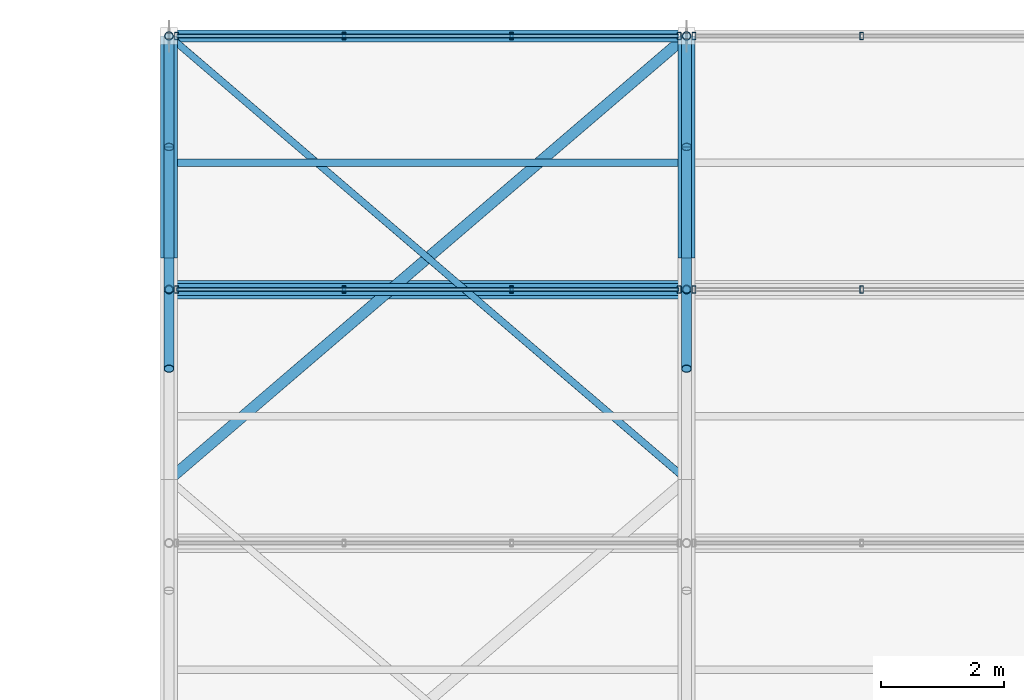
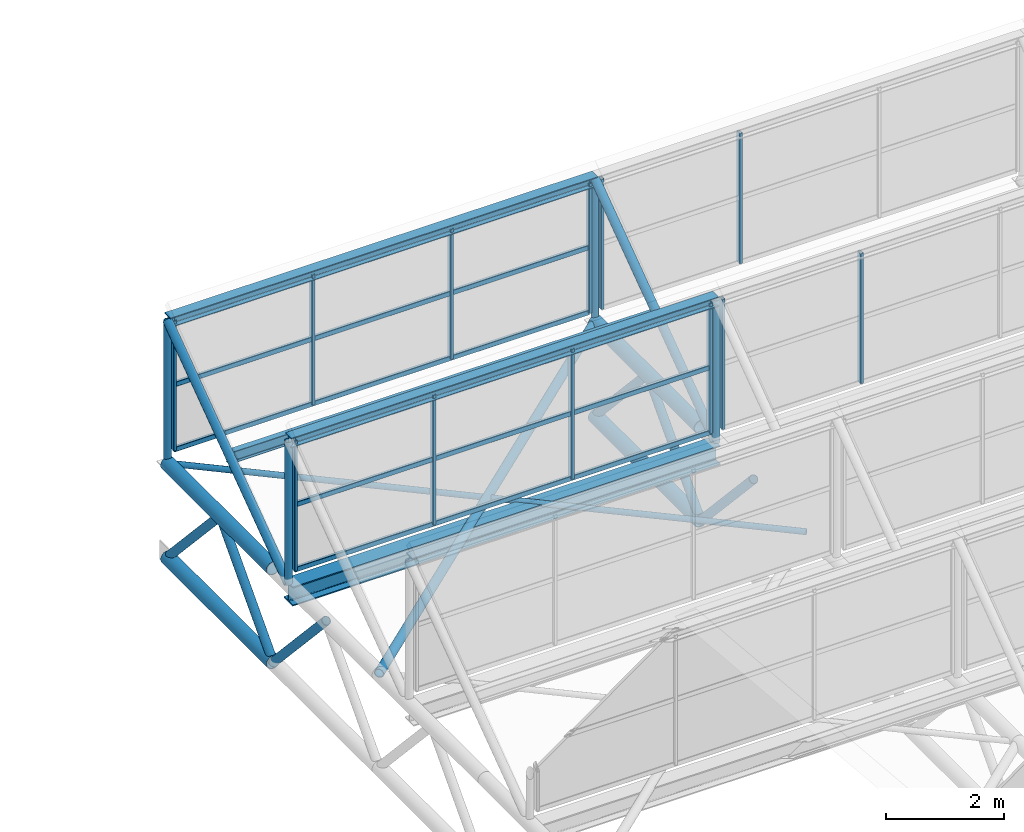
# One storey, part 66 of 134: 36 members, 4 beams, 4 elements without a shape of their own.
"""IFC4 building model written with IfcOpenShell, lengths in metres."""

from ifc_helpers import new_model, si_unit, derived_unit, direction, frame, origin, origin_2d, place, context, subcontext, project, spatial, hollow_rectangle, hollow_circle, i_section, extrude, material, material_profile, profile_set, type_object, element, aggregate, save


model = new_model("IFC4")

# Units and contexts
model_context = context("Model", 3, precision=1e-05, world=origin(), true_north=direction((0.0, 1.0)))
body_context = subcontext(model_context, "Body", "Model", "MODEL_VIEW")
ifc_project = project(units=[si_unit("LENGTHUNIT", "METRE"), si_unit("AREAUNIT", "SQUARE_METRE"), si_unit("VOLUMEUNIT", "CUBIC_METRE"), si_unit("PLANEANGLEUNIT", "RADIAN"), si_unit("MASSUNIT", "GRAM", prefix="KILO"), derived_unit("THERMALTRANSMITTANCEUNIT", [(si_unit("MASSUNIT", "GRAM", prefix="KILO"), 1), (si_unit("TIMEUNIT", "SECOND"), -3), (si_unit("THERMODYNAMICTEMPERATUREUNIT", "KELVIN"), -1)])], contexts=[model_context])

# Site, building, storey
site_placement = place(None, origin())
site = spatial("IfcSite", under=ifc_project, at=site_placement, CompositionType="ELEMENT")
building_placement = place(site_placement, origin())
building = spatial("IfcBuilding", under=site, at=building_placement, Name="Kharveza Railside Sports Centre", CompositionType="ELEMENT")
storey_placement = place(building_placement, frame((0.0, 0.0, 12.89990234375)))
storey = spatial("IfcBuildingStorey", under=building, at=storey_placement, Name="L03", CompositionType="ELEMENT", Elevation=12.89990234375)

# Beams
ifc_material_1 = material(Name="Steel S355J2", Category="steel")
ifc_material_profile_1 = material_profile(ifc_material_1, i_section(OverallWidth=0.300048828125, OverallDepth=0.39990234375, WebThickness=0.013427734375, FlangeThickness=0.02392578125, FilletRadius=0.027099609375, at=origin_2d()), Name="HEB 400")
ifc_profile_set_1 = profile_set([ifc_material_profile_1], Name="Steel S355J2")
beam_type_1 = type_object("IfcBeamType", Name="BM-G07", PredefinedType="T_BEAM", material=ifc_profile_set_1)
beam_1_placement = place(storey_placement, frame((92.39990234375, 103.8857421875, 1.760009765625), z_axis=(1.0, 0.0, 0.0), x_axis=(0.0, 1.0, 0.0)))
element("IfcBeam", 1, at=beam_1_placement, inside=storey, type_object=beam_type_1, Name="BM-V2SAW-VAL-7-1", PredefinedType="T_BEAM", context=body_context, shape_type="SweptSolid", body=[
    extrude(i_section(OverallWidth=0.300048828125, OverallDepth=0.39990234375, WebThickness=0.013427734375, FlangeThickness=0.02392578125, FilletRadius=0.027099609375, at=origin_2d()), origin(), (0.0, 0.0, 1.0), 8.400146484375),
])
ifc_material_2 = material(Name="Steel S275JR", Category="steel")
ifc_material_profile_2 = material_profile(ifc_material_2, i_section(OverallWidth=0.1201171875, OverallDepth=0.239990234375, WebThickness=0.006103515625, FlangeThickness=0.009765625, FilletRadius=0.014892578125, at=origin_2d()), Name="IPE 240")
ifc_profile_set_2 = profile_set([ifc_material_profile_2], Name="Steel S275JR")
beam_type_2 = type_object("IfcBeamType", Name="BM-J01", PredefinedType="JOIST", material=ifc_profile_set_2)
beam_2_placement = place(storey_placement, frame((92.39990234375, 105.94287109375, 3.320068359375), z_axis=(1.0, 0.0, 0.0), x_axis=(0.0, 1.0, 0.0)))
element("IfcBeam", 2, at=beam_2_placement, inside=storey, type_object=beam_type_2, Name="BM-V2SAW-PUR-7-1", PredefinedType="JOIST", context=body_context, shape_type="SweptSolid", body=[
    extrude(i_section(OverallWidth=0.1201171875, OverallDepth=0.239990234375, WebThickness=0.006103515625, FlangeThickness=0.009765625, FilletRadius=0.014892578125, at=origin_2d()), origin(), (0.0, 0.0, 1.0), 8.400146484375),
])
ifc_material_profile_3 = material_profile(ifc_material_2, i_section(OverallWidth=0.199951171875, OverallDepth=0.199951171875, WebThickness=0.009033203125, FlangeThickness=0.014892578125, FilletRadius=0.01806640625, at=origin_2d()), Name="HEB 200")
ifc_profile_set_3 = profile_set([ifc_material_profile_3], Name="Steel S275JR")
beam_type_3 = type_object("IfcBeamType", Name="BM-J05", PredefinedType="JOIST", material=ifc_profile_set_3)
for number, where, z_axis, x_axis, name in (
    (3, (92.39990234375, 103.8857421875, 4.920166015625), (1.0, 0.0, 0.0), (0.0, 1.0, 0.0), "BM-V2SAW-RDG-6-1"),
    (4, (92.39990234375, 108.0, 4.920166015625), (1.0, 0.0, 0.0), (0.0, 1.0, 0.0), "BM-V2SAW-RDG-7-1"),
):
    element("IfcBeam", number, at=place(storey_placement, frame(where, z_axis=z_axis, x_axis=x_axis)), inside=storey, type_object=beam_type_3, Name=name, PredefinedType="JOIST", context=body_context, shape_type="SweptSolid", body=[
        extrude(i_section(OverallWidth=0.199951171875, OverallDepth=0.199951171875, WebThickness=0.009033203125, FlangeThickness=0.014892578125, FilletRadius=0.01806640625, at=origin_2d()), origin(), (0.0, 0.0, 1.0), 8.400146484375),
    ])

# Curtain wall, members
ifc_material_3 = material(Name="Low-E solar-control laminated glass", Category="glass")
curtain_wall_type = type_object("IfcCurtainWallType", Name="CW-NL02", PredefinedType="NOTDEFINED", material=ifc_material_3)
curtain_wall_1_placement = place(storey_placement, origin())
curtain_wall_1 = element("IfcCurtainWall", 5, at=curtain_wall_1_placement, inside=storey, type_object=curtain_wall_type, Name="CW-V2NL-6-1", PredefinedType="NOTDEFINED")
ifc_material_4 = material(Name="Anodised aluminium 6063-T6", Category="aluminium")
ifc_material_profile_4 = material_profile(ifc_material_4, hollow_rectangle(XDim=0.06005859375, YDim=0.1201171875, WallThickness=0.0048828125, InnerFilletRadius=0.0048828125, OuterFilletRadius=0.010009765625, at=origin_2d()), Name="RHS 60x120x5.0")
ifc_profile_set_4 = profile_set([ifc_material_profile_4], Name="Anodised aluminium 6063-T6")
member_type_1 = type_object("IfcMemberType", Name="CW-ML05", PredefinedType="MULLION", material=ifc_profile_set_4)
member_1_placement = place(storey_placement, frame((92.52001953125, 103.8857421875, 2.2001953125), z_axis=(0.0, 0.0, 1.0), x_axis=(1.0, 0.0, 0.0)))
member_1 = element("IfcMember", 6, at=member_1_placement, type_object=member_type_1, Name="CW-V2NL-6-1-ML1", PredefinedType="MULLION", context=body_context, shape_type="SweptSolid", body=[
    extrude(hollow_rectangle(XDim=0.06005859375, YDim=0.1201171875, WallThickness=0.0048828125, InnerFilletRadius=0.0048828125, OuterFilletRadius=0.010009765625, at=origin_2d()), origin(), (0.0, 0.0, 1.0), 2.699951171875),
])
member_2_placement = place(storey_placement, frame((95.239990234375, 103.8857421875, 2.2001953125), z_axis=(0.0, 0.0, 1.0), x_axis=(1.0, 0.0, 0.0)))
member_2 = element("IfcMember", 7, at=member_2_placement, type_object=member_type_1, Name="CW-V2NL-6-1-ML2", PredefinedType="MULLION", context=body_context, shape_type="SweptSolid", body=[
    extrude(hollow_rectangle(XDim=0.06005859375, YDim=0.1201171875, WallThickness=0.0048828125, InnerFilletRadius=0.0048828125, OuterFilletRadius=0.010009765625, at=origin_2d()), origin(), (0.0, 0.0, 1.0), 2.699951171875),
])
member_3_placement = place(storey_placement, frame((97.9599609375, 103.8857421875, 2.2001953125), z_axis=(0.0, 0.0, 1.0), x_axis=(1.0, 0.0, 0.0)))
member_3 = element("IfcMember", 8, at=member_3_placement, type_object=member_type_1, Name="CW-V2NL-6-1-ML3", PredefinedType="MULLION", context=body_context, shape_type="SweptSolid", body=[
    extrude(hollow_rectangle(XDim=0.06005859375, YDim=0.1201171875, WallThickness=0.0048828125, InnerFilletRadius=0.0048828125, OuterFilletRadius=0.010009765625, at=origin_2d()), origin(), (0.0, 0.0, 1.0), 2.699951171875),
])
member_4_placement = place(storey_placement, frame((100.679931640625, 103.8857421875, 2.2001953125), z_axis=(0.0, 0.0, 1.0), x_axis=(1.0, 0.0, 0.0)))
member_4 = element("IfcMember", 9, at=member_4_placement, type_object=member_type_1, Name="CW-V2NL-6-1-ML4", PredefinedType="MULLION", context=body_context, shape_type="SweptSolid", body=[
    extrude(hollow_rectangle(XDim=0.06005859375, YDim=0.1201171875, WallThickness=0.0048828125, InnerFilletRadius=0.0048828125, OuterFilletRadius=0.010009765625, at=origin_2d()), origin(), (0.0, 0.0, 1.0), 2.699951171875),
])

curtain_wall_2_placement = place(storey_placement, origin())
curtain_wall_2 = element("IfcCurtainWall", 10, at=curtain_wall_2_placement, inside=storey, type_object=curtain_wall_type, Name="CW-V2NL-6-2", PredefinedType="NOTDEFINED")
member_5_placement = place(storey_placement, frame((100.919921875, 103.8857421875, 2.2001953125), z_axis=(0.0, 0.0, 1.0), x_axis=(1.0, 0.0, 0.0)))
member_5 = element("IfcMember", 11, at=member_5_placement, type_object=member_type_1, Name="CW-V2NL-6-2-ML1", PredefinedType="MULLION", context=body_context, shape_type="SweptSolid", body=[
    extrude(hollow_rectangle(XDim=0.06005859375, YDim=0.1201171875, WallThickness=0.0048828125, InnerFilletRadius=0.0048828125, OuterFilletRadius=0.010009765625, at=origin_2d()), origin(), (0.0, 0.0, 1.0), 2.699951171875),
])
member_6_placement = place(storey_placement, frame((103.639892578125, 103.8857421875, 2.2001953125), z_axis=(0.0, 0.0, 1.0), x_axis=(1.0, 0.0, 0.0)))
member_6 = element("IfcMember", 12, at=member_6_placement, type_object=member_type_1, Name="CW-V2NL-6-2-ML2", PredefinedType="MULLION", context=body_context, shape_type="SweptSolid", body=[
    extrude(hollow_rectangle(XDim=0.06005859375, YDim=0.1201171875, WallThickness=0.0048828125, InnerFilletRadius=0.0048828125, OuterFilletRadius=0.010009765625, at=origin_2d()), origin(), (0.0, 0.0, 1.0), 2.699951171875),
])
aggregate(curtain_wall_2, [member_5, member_6])

curtain_wall_3_placement = place(storey_placement, origin())
curtain_wall_3 = element("IfcCurtainWall", 13, at=curtain_wall_3_placement, inside=storey, type_object=curtain_wall_type, Name="CW-V2NL-7-1", PredefinedType="NOTDEFINED")
member_7_placement = place(storey_placement, frame((92.52001953125, 108.0, 2.2001953125), z_axis=(0.0, 0.0, 1.0), x_axis=(1.0, 0.0, 0.0)))
member_7 = element("IfcMember", 14, at=member_7_placement, type_object=member_type_1, Name="CW-V2NL-7-1-ML1", PredefinedType="MULLION", context=body_context, shape_type="SweptSolid", body=[
    extrude(hollow_rectangle(XDim=0.06005859375, YDim=0.1201171875, WallThickness=0.0048828125, InnerFilletRadius=0.0048828125, OuterFilletRadius=0.010009765625, at=origin_2d()), origin(), (0.0, 0.0, 1.0), 2.699951171875),
])
member_8_placement = place(storey_placement, frame((95.239990234375, 108.0, 2.2001953125), z_axis=(0.0, 0.0, 1.0), x_axis=(1.0, 0.0, 0.0)))
member_8 = element("IfcMember", 15, at=member_8_placement, type_object=member_type_1, Name="CW-V2NL-7-1-ML2", PredefinedType="MULLION", context=body_context, shape_type="SweptSolid", body=[
    extrude(hollow_rectangle(XDim=0.06005859375, YDim=0.1201171875, WallThickness=0.0048828125, InnerFilletRadius=0.0048828125, OuterFilletRadius=0.010009765625, at=origin_2d()), origin(), (0.0, 0.0, 1.0), 2.699951171875),
])
member_9_placement = place(storey_placement, frame((97.9599609375, 108.0, 2.2001953125), z_axis=(0.0, 0.0, 1.0), x_axis=(1.0, 0.0, 0.0)))
member_9 = element("IfcMember", 16, at=member_9_placement, type_object=member_type_1, Name="CW-V2NL-7-1-ML3", PredefinedType="MULLION", context=body_context, shape_type="SweptSolid", body=[
    extrude(hollow_rectangle(XDim=0.06005859375, YDim=0.1201171875, WallThickness=0.0048828125, InnerFilletRadius=0.0048828125, OuterFilletRadius=0.010009765625, at=origin_2d()), origin(), (0.0, 0.0, 1.0), 2.699951171875),
])
member_10_placement = place(storey_placement, frame((100.679931640625, 108.0, 2.2001953125), z_axis=(0.0, 0.0, 1.0), x_axis=(1.0, 0.0, 0.0)))
member_10 = element("IfcMember", 17, at=member_10_placement, type_object=member_type_1, Name="CW-V2NL-7-1-ML4", PredefinedType="MULLION", context=body_context, shape_type="SweptSolid", body=[
    extrude(hollow_rectangle(XDim=0.06005859375, YDim=0.1201171875, WallThickness=0.0048828125, InnerFilletRadius=0.0048828125, OuterFilletRadius=0.010009765625, at=origin_2d()), origin(), (0.0, 0.0, 1.0), 2.699951171875),
])

curtain_wall_4_placement = place(storey_placement, origin())
curtain_wall_4 = element("IfcCurtainWall", 18, at=curtain_wall_4_placement, inside=storey, type_object=curtain_wall_type, Name="CW-V2NL-7-2", PredefinedType="NOTDEFINED")
member_11_placement = place(storey_placement, frame((100.919921875, 108.0, 2.2001953125), z_axis=(0.0, 0.0, 1.0), x_axis=(1.0, 0.0, 0.0)))
member_11 = element("IfcMember", 19, at=member_11_placement, type_object=member_type_1, Name="CW-V2NL-7-2-ML1", PredefinedType="MULLION", context=body_context, shape_type="SweptSolid", body=[
    extrude(hollow_rectangle(XDim=0.06005859375, YDim=0.1201171875, WallThickness=0.0048828125, InnerFilletRadius=0.0048828125, OuterFilletRadius=0.010009765625, at=origin_2d()), origin(), (0.0, 0.0, 1.0), 2.699951171875),
])
member_12_placement = place(storey_placement, frame((103.639892578125, 108.0, 2.2001953125), z_axis=(0.0, 0.0, 1.0), x_axis=(1.0, 0.0, 0.0)))
member_12 = element("IfcMember", 20, at=member_12_placement, type_object=member_type_1, Name="CW-V2NL-7-2-ML2", PredefinedType="MULLION", context=body_context, shape_type="SweptSolid", body=[
    extrude(hollow_rectangle(XDim=0.06005859375, YDim=0.1201171875, WallThickness=0.0048828125, InnerFilletRadius=0.0048828125, OuterFilletRadius=0.010009765625, at=origin_2d()), origin(), (0.0, 0.0, 1.0), 2.699951171875),
])
aggregate(curtain_wall_4, [member_11, member_12])

# Member
ifc_material_profile_5 = material_profile(ifc_material_4, hollow_rectangle(XDim=0.06005859375, YDim=0.10009765625, WallThickness=0.00390625, InnerFilletRadius=0.00390625, OuterFilletRadius=0.008056640625, at=origin_2d()), Name="RHS 60x100x4.0")
ifc_profile_set_5 = profile_set([ifc_material_profile_5], Name="Anodised aluminium 6063-T6")
member_type_2 = type_object("IfcMemberType", Name="CW-TR05", PredefinedType="USERDEFINED", material=ifc_profile_set_5)
member_13_placement = place(storey_placement, frame((92.52001953125, 103.8857421875, 2.2001953125), z_axis=(1.0, 0.0, 0.0), x_axis=(0.0, 1.0, 0.0)))
member_13 = element("IfcMember", 21, at=member_13_placement, type_object=member_type_2, Name="CW-V2NL-6-1-TR1", ObjectType="TRANSOM", PredefinedType="USERDEFINED", context=body_context, shape_type="SweptSolid", body=[
    extrude(hollow_rectangle(XDim=0.06005859375, YDim=0.10009765625, WallThickness=0.00390625, InnerFilletRadius=0.00390625, OuterFilletRadius=0.008056640625, at=origin_2d()), origin(), (0.0, 0.0, 1.0), 8.159912109375),
])

member_14_placement = place(storey_placement, frame((92.52001953125, 103.8857421875, 3.550048828125), z_axis=(1.0, 0.0, 0.0), x_axis=(0.0, 1.0, 0.0)))
member_14 = element("IfcMember", 22, at=member_14_placement, type_object=member_type_2, Name="CW-V2NL-6-1-TR2", ObjectType="TRANSOM", PredefinedType="USERDEFINED", context=body_context, shape_type="SweptSolid", body=[
    extrude(hollow_rectangle(XDim=0.06005859375, YDim=0.10009765625, WallThickness=0.00390625, InnerFilletRadius=0.00390625, OuterFilletRadius=0.008056640625, at=origin_2d()), origin(), (0.0, 0.0, 1.0), 8.159912109375),
])

member_15_placement = place(storey_placement, frame((92.52001953125, 103.8857421875, 4.900146484375), z_axis=(1.0, 0.0, 0.0), x_axis=(0.0, 1.0, 0.0)))
member_15 = element("IfcMember", 23, at=member_15_placement, type_object=member_type_2, Name="CW-V2NL-6-1-TR3", ObjectType="TRANSOM", PredefinedType="USERDEFINED", context=body_context, shape_type="SweptSolid", body=[
    extrude(hollow_rectangle(XDim=0.06005859375, YDim=0.10009765625, WallThickness=0.00390625, InnerFilletRadius=0.00390625, OuterFilletRadius=0.008056640625, at=origin_2d()), origin(), (0.0, 0.0, 1.0), 8.159912109375),
])

aggregate(curtain_wall_1, [member_1, member_2, member_3, member_4, member_13, member_14, member_15])

member_16_placement = place(storey_placement, frame((92.52001953125, 108.0, 2.2001953125), z_axis=(1.0, 0.0, 0.0), x_axis=(0.0, 1.0, 0.0)))
member_16 = element("IfcMember", 24, at=member_16_placement, type_object=member_type_2, Name="CW-V2NL-7-1-TR1", ObjectType="TRANSOM", PredefinedType="USERDEFINED", context=body_context, shape_type="SweptSolid", body=[
    extrude(hollow_rectangle(XDim=0.06005859375, YDim=0.10009765625, WallThickness=0.00390625, InnerFilletRadius=0.00390625, OuterFilletRadius=0.008056640625, at=origin_2d()), origin(), (0.0, 0.0, 1.0), 8.159912109375),
])

member_17_placement = place(storey_placement, frame((92.52001953125, 108.0, 3.550048828125), z_axis=(1.0, 0.0, 0.0), x_axis=(0.0, 1.0, 0.0)))
member_17 = element("IfcMember", 25, at=member_17_placement, type_object=member_type_2, Name="CW-V2NL-7-1-TR2", ObjectType="TRANSOM", PredefinedType="USERDEFINED", context=body_context, shape_type="SweptSolid", body=[
    extrude(hollow_rectangle(XDim=0.06005859375, YDim=0.10009765625, WallThickness=0.00390625, InnerFilletRadius=0.00390625, OuterFilletRadius=0.008056640625, at=origin_2d()), origin(), (0.0, 0.0, 1.0), 8.159912109375),
])

member_18_placement = place(storey_placement, frame((92.52001953125, 108.0, 4.900146484375), z_axis=(1.0, 0.0, 0.0), x_axis=(0.0, 1.0, 0.0)))
member_18 = element("IfcMember", 26, at=member_18_placement, type_object=member_type_2, Name="CW-V2NL-7-1-TR3", ObjectType="TRANSOM", PredefinedType="USERDEFINED", context=body_context, shape_type="SweptSolid", body=[
    extrude(hollow_rectangle(XDim=0.06005859375, YDim=0.10009765625, WallThickness=0.00390625, InnerFilletRadius=0.00390625, OuterFilletRadius=0.008056640625, at=origin_2d()), origin(), (0.0, 0.0, 1.0), 8.159912109375),
])

aggregate(curtain_wall_3, [member_7, member_8, member_9, member_10, member_16, member_17, member_18])

# Members
ifc_material_profile_6 = material_profile(ifc_material_1, hollow_circle(Radius=0.0888671875, WallThickness=0.010009765625, at=origin_2d()), Name="CHS 177.8x10.0")
ifc_profile_set_6 = profile_set([ifc_material_profile_6], Name="Steel S355J2")
member_type_3 = type_object("IfcMemberType", Name="MB-BR03", PredefinedType="BRACE", material=ifc_profile_set_6)
member_19_placement = place(storey_placement, frame((92.39990234375, 100.800048828125, 1.9501953125), z_axis=(0.759264390716, 0.650782286936, 0.0), x_axis=(-0.650782286936, 0.759264390716, 0.0)))
element("IfcMember", 27, at=member_19_placement, inside=storey, type_object=member_type_3, Name="MB-ROOFBR-V2-1-4A", PredefinedType="BRACE", context=body_context, shape_type="SweptSolid", body=[
    extrude(hollow_circle(Radius=0.0888671875, WallThickness=0.010009765625, at=origin_2d()), origin(), (0.0, 0.0, 1.0), 11.0634765625),
])
ifc_material_profile_7 = material_profile(ifc_material_2, hollow_circle(Radius=0.05712890625, WallThickness=0.00634765625, at=origin_2d()), Name="CHS 114.3x6.3")
ifc_profile_set_7 = profile_set([ifc_material_profile_7], Name="Steel S275JR")
member_type_4 = type_object("IfcMemberType", Name="MB-BR04", PredefinedType="BRACE", material=ifc_profile_set_7)
member_20_placement = place(storey_placement, frame((100.800048828125, 100.800048828125, 1.9501953125), z_axis=(-0.759264390716, 0.650782286936, 0.0), x_axis=(-0.650782286936, -0.759264390716, 0.0)))
element("IfcMember", 28, at=member_20_placement, inside=storey, type_object=member_type_4, Name="MB-ROOFBR-V2-1-4B", PredefinedType="BRACE", context=body_context, shape_type="SweptSolid", body=[
    extrude(hollow_circle(Radius=0.05712890625, WallThickness=0.00634765625, at=origin_2d()), origin(), (0.0, 0.0, 1.0), 11.0634765625),
])
ifc_material_profile_8 = material_profile(ifc_material_1, hollow_circle(Radius=0.136474609375, WallThickness=0.01416015625, at=origin_2d()), Name="CHS 273.0x14.2")
ifc_profile_set_8 = profile_set([ifc_material_profile_8], Name="Steel S355J2")
member_type_5 = type_object("IfcMemberType", Name="MB-CH03", PredefinedType="CHORD", material=ifc_profile_set_8)
for number, where, z_axis, x_axis, name in (
    (29, (92.39990234375, 104.39990234375, 0.0), (0.0, 1.0, 0.0), (-1.0, 0.0, 0.0), "MB-V2TR-BC-1-8"),
    (30, (92.39990234375, 104.39990234375, 1.9501953125), (0.0, 1.0, 0.0), (-1.0, 0.0, 0.0), "MB-V2TR-TC-1-8"),
    (31, (100.800048828125, 104.39990234375, 0.0), (0.0, 1.0, 0.0), (-1.0, 0.0, 0.0), "MB-V2TR-BC-2-8"),
    (32, (100.800048828125, 104.39990234375, 1.9501953125), (0.0, 1.0, 0.0), (-1.0, 0.0, 0.0), "MB-V2TR-TC-2-8"),
):
    element("IfcMember", number, at=place(storey_placement, frame(where, z_axis=z_axis, x_axis=x_axis)), inside=storey, type_object=member_type_5, Name=name, PredefinedType="CHORD", context=body_context, shape_type="SweptSolid", body=[
        extrude(hollow_circle(Radius=0.136474609375, WallThickness=0.01416015625, at=origin_2d()), origin(), (0.0, 0.0, 1.0), 3.60009765625),
    ])
ifc_material_profile_9 = material_profile(ifc_material_1, hollow_circle(Radius=0.084228515625, WallThickness=0.010009765625, at=origin_2d()), Name="CHS 168.3x10.0")
ifc_profile_set_9 = profile_set([ifc_material_profile_9], Name="Steel S355J2")
member_type_6 = type_object("IfcMemberType", Name="MB-ST03", PredefinedType="STRUT", material=ifc_profile_set_9)
member_21_placement = place(storey_placement, frame((92.39990234375, 102.60009765625, 1.9501953125), z_axis=(0.0, 0.678203679629, -0.734873981671), x_axis=(-1.0, 0.0, 0.0)))
element("IfcMember", 33, at=member_21_placement, inside=storey, type_object=member_type_6, Name="MB-V2TR-D2-1-7", PredefinedType="STRUT", context=body_context, shape_type="SweptSolid", body=[
    extrude(hollow_circle(Radius=0.084228515625, WallThickness=0.010009765625, at=origin_2d()), origin(), (0.0, 0.0, 1.0), 2.65380859375),
])
for number, where, z_axis, x_axis, name in (
    (34, (92.39990234375, 104.39990234375, 0.0), (0.0, 0.67825335715, 0.734828131956), (-1.0, 0.0, 0.0), "MB-V2TR-D1-1-8"),
    (35, (92.39990234375, 106.199951171875, 1.9501953125), (0.0, 0.67825335715, -0.734828131956), (-1.0, 0.0, 0.0), "MB-V2TR-D2-1-8"),
):
    element("IfcMember", number, at=place(storey_placement, frame(where, z_axis=z_axis, x_axis=x_axis)), inside=storey, type_object=member_type_6, Name=name, PredefinedType="STRUT", context=body_context, shape_type="SweptSolid", body=[
        extrude(hollow_circle(Radius=0.084228515625, WallThickness=0.010009765625, at=origin_2d()), origin(), (0.0, 0.0, 1.0), 2.654052734375),
    ])
member_22_placement = place(storey_placement, frame((100.800048828125, 102.60009765625, 1.9501953125), z_axis=(0.0, 0.678203679629, -0.734873981671), x_axis=(-1.0, 0.0, 0.0)))
element("IfcMember", 36, at=member_22_placement, inside=storey, type_object=member_type_6, Name="MB-V2TR-D2-2-7", PredefinedType="STRUT", context=body_context, shape_type="SweptSolid", body=[
    extrude(hollow_circle(Radius=0.084228515625, WallThickness=0.010009765625, at=origin_2d()), origin(), (0.0, 0.0, 1.0), 2.65380859375),
])
for number, where, z_axis, x_axis, name in (
    (37, (100.800048828125, 104.39990234375, 0.0), (0.0, 0.67825335715, 0.734828131956), (-1.0, 0.0, 0.0), "MB-V2TR-D1-2-8"),
    (38, (100.800048828125, 106.199951171875, 1.9501953125), (0.0, 0.67825335715, -0.734828131956), (-1.0, 0.0, 0.0), "MB-V2TR-D2-2-8"),
):
    element("IfcMember", number, at=place(storey_placement, frame(where, z_axis=z_axis, x_axis=x_axis)), inside=storey, type_object=member_type_6, Name=name, PredefinedType="STRUT", context=body_context, shape_type="SweptSolid", body=[
        extrude(hollow_circle(Radius=0.084228515625, WallThickness=0.010009765625, at=origin_2d()), origin(), (0.0, 0.0, 1.0), 2.654052734375),
    ])
for number, where, z_axis, x_axis, name in (
    (39, (92.39990234375, 103.8857421875, 1.9501953125), (0.0, 0.810813691418, 0.585304329225), (-1.0, 0.0, 0.0), "MB-V2SAW-RFT-7-1"),
    (40, (100.800048828125, 103.8857421875, 1.9501953125), (0.0, 0.810813691418, 0.585304329225), (-1.0, 0.0, 0.0), "MB-V2SAW-RFT-7-2"),
):
    element("IfcMember", number, at=place(storey_placement, frame(where, z_axis=z_axis, x_axis=x_axis)), inside=storey, type_object=member_type_6, Name=name, PredefinedType="STRUT", context=body_context, shape_type="SweptSolid", body=[
        extrude(hollow_circle(Radius=0.084228515625, WallThickness=0.010009765625, at=origin_2d()), origin(), (0.0, 0.0, 1.0), 5.07421875),
    ])
ifc_material_profile_10 = material_profile(ifc_material_1, hollow_circle(Radius=0.06982421875, WallThickness=0.008056640625, at=origin_2d()), Name="CHS 139.7x8.0")
ifc_profile_set_10 = profile_set([ifc_material_profile_10], Name="Steel S355J2")
member_type_7 = type_object("IfcMemberType", Name="MB-ST04", PredefinedType="STRUT", material=ifc_profile_set_10)
for number, where, z_axis, x_axis, name in (
    (41, (92.39990234375, 103.8857421875, 1.9501953125), (0.0, 0.0, 1.0), (1.0, 0.0, 0.0), "MB-V2SAW-PST-6-1"),
    (42, (100.800048828125, 103.8857421875, 1.9501953125), (0.0, 0.0, 1.0), (1.0, 0.0, 0.0), "MB-V2SAW-PST-6-2"),
    (43, (92.39990234375, 108.0, 1.9501953125), (0.0, 0.0, 1.0), (1.0, 0.0, 0.0), "MB-V2SAW-PST-7-1"),
    (44, (100.800048828125, 108.0, 1.9501953125), (0.0, 0.0, 1.0), (1.0, 0.0, 0.0), "MB-V2SAW-PST-7-2"),
):
    element("IfcMember", number, at=place(storey_placement, frame(where, z_axis=z_axis, x_axis=x_axis)), inside=storey, type_object=member_type_7, Name=name, PredefinedType="STRUT", context=body_context, shape_type="SweptSolid", body=[
        extrude(hollow_circle(Radius=0.06982421875, WallThickness=0.008056640625, at=origin_2d()), origin(), (0.0, 0.0, 1.0), 2.969970703125),
    ])

save(model, "model.ifc")
